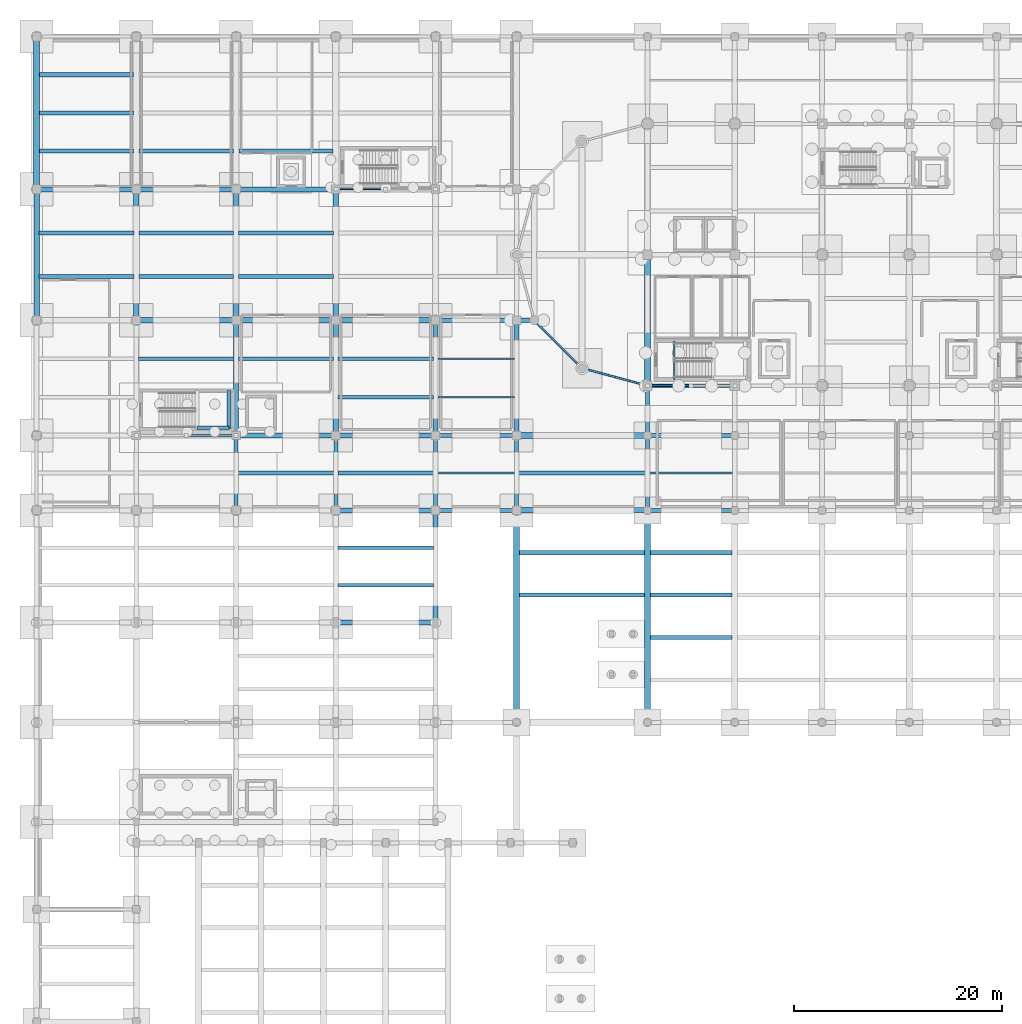
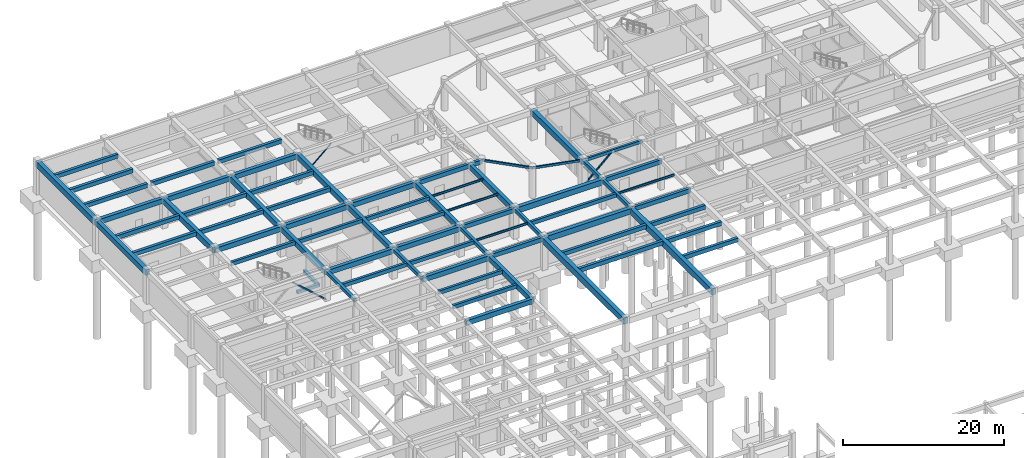
# One storey, part 15 of 37: 71 beams, 4 members.
"""IFC4 building model written with IfcOpenShell, lengths in metres."""

from ifc_helpers import new_model, si_unit, direction, frame, origin, origin_2d, place, context, subcontext, project, spatial, rectangle, hollow_rectangle, hollow_circle, i_section, extrude, material, material_profile, profile_set, type_object, element, save


model = new_model("IFC4")

# Units and contexts
model_context = context("Model", 3, precision=1e-05, world=origin(), true_north=direction((0.0, 1.0)))
body_context = subcontext(model_context, "Body", "Model", "MODEL_VIEW")
ifc_project = project(units=[si_unit("LENGTHUNIT", "METRE"), si_unit("AREAUNIT", "SQUARE_METRE"), si_unit("VOLUMEUNIT", "CUBIC_METRE"), si_unit("PLANEANGLEUNIT", "RADIAN"), si_unit("MASSUNIT", "GRAM", prefix="KILO")], contexts=[model_context])

# Site, building, storey
site_placement = place(None, origin())
site = spatial("IfcSite", under=ifc_project, at=site_placement, CompositionType="ELEMENT")
building_placement = place(site_placement, origin())
building = spatial("IfcBuilding", under=site, at=building_placement, Name="Tarnavel Promenade Courthouse", CompositionType="ELEMENT")
storey_placement = place(building_placement, frame((0.0, 0.0, -4.800048828125)))
storey = spatial("IfcBuildingStorey", under=building, at=storey_placement, Name="B01", CompositionType="ELEMENT", Elevation=-4.800048828125)

# Beams
ifc_material_1 = material(Name="Concrete C40/50", Category="concrete")
ifc_material_profile_1 = material_profile(ifc_material_1, rectangle(XDim=0.35009765625, YDim=0.550048828125, at=origin_2d()), Name="PT 350x550")
ifc_profile_set_1 = profile_set([ifc_material_profile_1], Name="Concrete C40/50")
beam_type_1 = type_object("IfcBeamType", Name="Concrete C40/50 BM-PT-350x550 (PT 350x550)", PredefinedType="JOIST", material=ifc_profile_set_1)
for number, where, z_axis, x_axis, name in (
    (1, (29.02001953125, 60.0, 4.179931640625), (1.0, 0.0, 0.0), (0.0, 1.0, 0.0), "B01 Secondary Floor Rib 0395"),
    (2, (29.02001953125, 63.60009765625, 4.179931640625), (1.0, 0.0, 0.0), (0.0, 1.0, 0.0), "B01 Secondary Floor Rib 0396"),
):
    element("IfcBeam", number, at=place(storey_placement, frame(where, z_axis=z_axis, x_axis=x_axis)), inside=storey, type_object=beam_type_1, Name=name, PredefinedType="JOIST", context=body_context, shape_type="SweptSolid", body=[
        extrude(rectangle(XDim=0.35009765625, YDim=0.550048828125, at=origin_2d()), origin(), (0.0, 0.0, 1.0), 9.159912109375),
    ])
beam_1_placement = place(storey_placement, frame((19.3701171875, 70.800048828125, 4.239990234375), z_axis=(1.0, 0.0, 0.0), x_axis=(0.0, 1.0, 0.0)))
element("IfcBeam", 3, at=beam_1_placement, inside=storey, type_object=beam_type_1, Name="B01 Secondary Floor Rib 0399", PredefinedType="JOIST", context=body_context, shape_type="SweptSolid", body=[
    extrude(rectangle(XDim=0.35009765625, YDim=0.550048828125, at=origin_2d()), origin(), (0.0, 0.0, 1.0), 9.259765625),
])
beam_2_placement = place(storey_placement, frame((28.969970703125, 70.800048828125, 4.239990234375), z_axis=(1.0, 0.0, 0.0), x_axis=(0.0, 1.0, 0.0)))
element("IfcBeam", 4, at=beam_2_placement, inside=storey, type_object=beam_type_1, Name="B01 Secondary Floor Rib 0400", PredefinedType="JOIST", context=body_context, shape_type="SweptSolid", body=[
    extrude(rectangle(XDim=0.35009765625, YDim=0.550048828125, at=origin_2d()), origin(), (0.0, 0.0, 1.0), 9.260009765625),
])
beam_3_placement = place(storey_placement, frame((46.3701171875, 70.800048828125, 4.239990234375), z_axis=(1.0, 0.0, 0.0), x_axis=(0.0, 1.0, 0.0)))
element("IfcBeam", 5, at=beam_3_placement, inside=storey, type_object=beam_type_1, Name="B01 Secondary Floor Rib 0402", PredefinedType="JOIST", context=body_context, shape_type="SweptSolid", body=[
    extrude(rectangle(XDim=0.35009765625, YDim=0.550048828125, at=origin_2d()), origin(), (0.0, 0.0, 1.0), 12.259765625),
])
beam_4_placement = place(storey_placement, frame((9.820068359375, 81.800048828125, 4.239990234375), z_axis=(1.0, 0.0, 0.0), x_axis=(0.0, 1.0, 0.0)))
element("IfcBeam", 6, at=beam_4_placement, inside=storey, type_object=beam_type_1, Name="B01 Secondary Floor Rib 0416", PredefinedType="JOIST", context=body_context, shape_type="SweptSolid", body=[
    extrude(rectangle(XDim=0.35009765625, YDim=0.550048828125, at=origin_2d()), origin(), (0.0, 0.0, 1.0), 9.159912109375),
])
beam_5_placement = place(storey_placement, frame((19.419921875, 81.800048828125, 4.239990234375), z_axis=(1.0, 0.0, 0.0), x_axis=(0.0, 1.0, 0.0)))
element("IfcBeam", 7, at=beam_5_placement, inside=storey, type_object=beam_type_1, Name="B01 Secondary Floor Rib 0417", PredefinedType="JOIST", context=body_context, shape_type="SweptSolid", body=[
    extrude(rectangle(XDim=0.35009765625, YDim=0.550048828125, at=origin_2d()), origin(), (0.0, 0.0, 1.0), 9.16015625),
])
for number, where, z_axis, x_axis, name in (
    (8, (29.02001953125, 78.10009765625, 4.239990234375), (1.0, 0.0, 0.0), (0.0, 1.0, 0.0), "B01 Secondary Floor Rib 0418"),
    (9, (29.02001953125, 81.800048828125, 4.239990234375), (1.0, 0.0, 0.0), (0.0, 1.0, 0.0), "B01 Secondary Floor Rib 0419"),
):
    element("IfcBeam", number, at=place(storey_placement, frame(where, z_axis=z_axis, x_axis=x_axis)), inside=storey, type_object=beam_type_1, Name=name, PredefinedType="JOIST", context=body_context, shape_type="SweptSolid", body=[
        extrude(rectangle(XDim=0.35009765625, YDim=0.550048828125, at=origin_2d()), origin(), (0.0, 0.0, 1.0), 9.159912109375),
    ])
ifc_material_profile_2 = material_profile(ifc_material_1, rectangle(XDim=0.39990234375, YDim=0.60009765625, at=origin_2d()), Name="PT 400x600")
ifc_profile_set_2 = profile_set([ifc_material_profile_2], Name="Concrete C40/50")
beam_type_2 = type_object("IfcBeamType", Name="Concrete C40/50 BM-PT-400x600 (PT 400x600)", PredefinedType="JOIST", material=ifc_profile_set_2)
for number, where, z_axis, x_axis, name in (
    (10, (0.2451171875, 89.699951171875, 4.215087890625), (1.0, 0.0, 0.0), (0.0, 1.0, 0.0), "B01 Secondary Floor Rib 0425"),
    (11, (0.2451171875, 93.89990234375, 4.215087890625), (1.0, 0.0, 0.0), (0.0, 1.0, 0.0), "B01 Secondary Floor Rib 0426"),
):
    element("IfcBeam", number, at=place(storey_placement, frame(where, z_axis=z_axis, x_axis=x_axis)), inside=storey, type_object=beam_type_2, Name=name, PredefinedType="JOIST", context=body_context, shape_type="SweptSolid", body=[
        extrude(rectangle(XDim=0.39990234375, YDim=0.60009765625, at=origin_2d()), origin(), (0.0, 0.0, 1.0), 9.10986328125),
    ])
for number, where, z_axis, x_axis, name in (
    (12, (9.844970703125, 89.699951171875, 4.215087890625), (1.0, 0.0, 0.0), (0.0, 1.0, 0.0), "B01 Secondary Floor Rib 0427"),
    (13, (9.844970703125, 93.89990234375, 4.215087890625), (1.0, 0.0, 0.0), (0.0, 1.0, 0.0), "B01 Secondary Floor Rib 0428"),
):
    element("IfcBeam", number, at=place(storey_placement, frame(where, z_axis=z_axis, x_axis=x_axis)), inside=storey, type_object=beam_type_2, Name=name, PredefinedType="JOIST", context=body_context, shape_type="SweptSolid", body=[
        extrude(rectangle(XDim=0.39990234375, YDim=0.60009765625, at=origin_2d()), origin(), (0.0, 0.0, 1.0), 9.110107421875),
    ])
for number, where, z_axis, x_axis, name in (
    (14, (19.445068359375, 89.699951171875, 4.215087890625), (1.0, 0.0, 0.0), (0.0, 1.0, 0.0), "B01 Secondary Floor Rib 0429"),
    (15, (19.445068359375, 93.89990234375, 4.215087890625), (1.0, 0.0, 0.0), (0.0, 1.0, 0.0), "B01 Secondary Floor Rib 0430"),
):
    element("IfcBeam", number, at=place(storey_placement, frame(where, z_axis=z_axis, x_axis=x_axis)), inside=storey, type_object=beam_type_2, Name=name, PredefinedType="JOIST", context=body_context, shape_type="SweptSolid", body=[
        extrude(rectangle(XDim=0.39990234375, YDim=0.60009765625, at=origin_2d()), origin(), (0.0, 0.0, 1.0), 9.10986328125),
    ])
for number, where, z_axis, x_axis, name in (
    (16, (0.27001953125, 101.77490234375, 4.215087890625), (1.0, 0.0, 0.0), (0.0, 1.0, 0.0), "B01 Secondary Floor Rib 0441"),
    (17, (0.27001953125, 105.449951171875, 4.215087890625), (1.0, 0.0, 0.0), (0.0, 1.0, 0.0), "B01 Secondary Floor Rib 0442"),
    (18, (0.27001953125, 109.125, 4.215087890625), (1.0, 0.0, 0.0), (0.0, 1.0, 0.0), "B01 Secondary Floor Rib 0443"),
):
    element("IfcBeam", number, at=place(storey_placement, frame(where, z_axis=z_axis, x_axis=x_axis)), inside=storey, type_object=beam_type_2, Name=name, PredefinedType="JOIST", context=body_context, shape_type="SweptSolid", body=[
        extrude(rectangle(XDim=0.39990234375, YDim=0.60009765625, at=origin_2d()), origin(), (0.0, 0.0, 1.0), 9.06005859375),
    ])
beam_6_placement = place(storey_placement, frame((9.8701171875, 101.77490234375, 4.215087890625), z_axis=(1.0, 0.0, 0.0), x_axis=(0.0, 1.0, 0.0)))
element("IfcBeam", 19, at=beam_6_placement, inside=storey, type_object=beam_type_2, Name="B01 Secondary Floor Rib 0444", PredefinedType="JOIST", context=body_context, shape_type="SweptSolid", body=[
    extrude(rectangle(XDim=0.39990234375, YDim=0.60009765625, at=origin_2d()), origin(), (0.0, 0.0, 1.0), 9.059814453125),
])
beam_7_placement = place(storey_placement, frame((19.469970703125, 101.77490234375, 4.215087890625), z_axis=(1.0, 0.0, 0.0), x_axis=(0.0, 1.0, 0.0)))
element("IfcBeam", 20, at=beam_7_placement, inside=storey, type_object=beam_type_2, Name="B01 Secondary Floor Rib 0447", PredefinedType="JOIST", context=body_context, shape_type="SweptSolid", body=[
    extrude(rectangle(XDim=0.39990234375, YDim=0.60009765625, at=origin_2d()), origin(), (0.0, 0.0, 1.0), 9.06005859375),
])
for number, where, z_axis, x_axis, name in (
    (21, (46.469970703125, 59.0400390625, 4.215087890625), (1.0, 0.0, 0.0), (0.0, 1.0, 0.0), "B01 Secondary Floor Rib 0470"),
    (22, (46.469970703125, 63.1201171875, 4.215087890625), (1.0, 0.0, 0.0), (0.0, 1.0, 0.0), "B01 Secondary Floor Rib 0471"),
):
    element("IfcBeam", number, at=place(storey_placement, frame(where, z_axis=z_axis, x_axis=x_axis)), inside=storey, type_object=beam_type_2, Name=name, PredefinedType="JOIST", context=body_context, shape_type="SweptSolid", body=[
        extrude(rectangle(XDim=0.39990234375, YDim=0.60009765625, at=origin_2d()), origin(), (0.0, 0.0, 1.0), 12.06005859375),
    ])
for number, where, z_axis, x_axis, name in (
    (23, (59.070068359375, 54.9599609375, 4.215087890625), (1.0, 0.0, 0.0), (0.0, 1.0, 0.0), "B01 Secondary Floor Rib 0473"),
    (24, (59.070068359375, 59.0400390625, 4.215087890625), (1.0, 0.0, 0.0), (0.0, 1.0, 0.0), "B01 Secondary Floor Rib 0474"),
    (25, (59.070068359375, 63.1201171875, 4.215087890625), (1.0, 0.0, 0.0), (0.0, 1.0, 0.0), "B01 Secondary Floor Rib 0475"),
):
    element("IfcBeam", number, at=place(storey_placement, frame(where, z_axis=z_axis, x_axis=x_axis)), inside=storey, type_object=beam_type_2, Name=name, PredefinedType="JOIST", context=body_context, shape_type="SweptSolid", body=[
        extrude(rectangle(XDim=0.39990234375, YDim=0.60009765625, at=origin_2d()), origin(), (0.0, 0.0, 1.0), 7.85986328125),
    ])
ifc_material_profile_3 = material_profile(ifc_material_1, rectangle(XDim=0.5, YDim=0.800048828125, at=origin_2d()), Name="PT 500x800")
ifc_profile_set_3 = profile_set([ifc_material_profile_3], Name="Concrete C40/50")
beam_type_3 = type_object("IfcBeamType", Name="Concrete C40/50 BM-PT-500x800 (PT 500x800)", PredefinedType="T_BEAM", material=ifc_profile_set_3)
for number, where, z_axis, x_axis, name in (
    (26, (19.199951171875, 74.39990234375, 4.114990234375), (0.0, 1.0, 0.0), (-1.0, 0.0, 0.0), "B01 Transverse Girder 0216"),
    (27, (28.800048828125, 74.39990234375, 4.114990234375), (0.0, 1.0, 0.0), (-1.0, 0.0, 0.0), "B01 Transverse Girder 0226"),
):
    element("IfcBeam", number, at=place(storey_placement, frame(where, z_axis=z_axis, x_axis=x_axis)), inside=storey, type_object=beam_type_3, Name=name, PredefinedType="T_BEAM", context=body_context, shape_type="SweptSolid", body=[
        extrude(rectangle(XDim=0.5, YDim=0.800048828125, at=origin_2d()), origin(), (0.0, 0.0, 1.0), 11.10009765625),
    ])
beam_8_placement = place(storey_placement, frame((38.39990234375, 56.39990234375, 4.054931640625), z_axis=(0.0, 1.0, 0.0), x_axis=(-1.0, 0.0, 0.0)))
element("IfcBeam", 28, at=beam_8_placement, inside=storey, type_object=beam_type_3, Name="B01 Transverse Girder 0232", PredefinedType="T_BEAM", context=body_context, shape_type="SweptSolid", body=[
    extrude(rectangle(XDim=0.5, YDim=0.800048828125, at=origin_2d()), origin(), (0.0, 0.0, 1.0), 10.800048828125),
])
for number, where, z_axis, x_axis, name in (
    (29, (38.39990234375, 74.39990234375, 4.114990234375), (0.0, 1.0, 0.0), (-1.0, 0.0, 0.0), "B01 Transverse Girder 0234"),
    (30, (46.199951171875, 74.39990234375, 4.114990234375), (0.0, 1.0, 0.0), (-1.0, 0.0, 0.0), "B01 Transverse Girder 0241"),
):
    element("IfcBeam", number, at=place(storey_placement, frame(where, z_axis=z_axis, x_axis=x_axis)), inside=storey, type_object=beam_type_3, Name=name, PredefinedType="T_BEAM", context=body_context, shape_type="SweptSolid", body=[
        extrude(rectangle(XDim=0.5, YDim=0.800048828125, at=origin_2d()), origin(), (0.0, 0.0, 1.0), 11.10009765625),
    ])
ifc_material_profile_4 = material_profile(ifc_material_1, rectangle(XDim=0.550048828125, YDim=0.85009765625, at=origin_2d()), Name="PT 550x850")
ifc_profile_set_4 = profile_set([ifc_material_profile_4], Name="Concrete C40/50")
beam_type_4 = type_object("IfcBeamType", Name="Concrete C40/50 BM-PT-550x850 (PT 550x850)", PredefinedType="T_BEAM", material=ifc_profile_set_4)
for number, where, z_axis, x_axis, name in (
    (31, (46.199951171875, 67.199951171875, 4.090087890625), (1.0, 0.0, 0.0), (0.0, 1.0, 0.0), "B01 Primary Longitudinal Beam 0094"),
    (32, (46.199951171875, 74.39990234375, 4.090087890625), (1.0, 0.0, 0.0), (0.0, 1.0, 0.0), "B01 Primary Longitudinal Beam 0117"),
    (33, (0.0, 85.5, 4.090087890625), (0.0, 1.0, 0.0), (-1.0, 0.0, 0.0), "B01 Transverse Girder 0196"),
    (34, (9.60009765625, 85.5, 4.090087890625), (0.0, 1.0, 0.0), (-1.0, 0.0, 0.0), "B01 Transverse Girder 0208"),
    (35, (19.199951171875, 85.5, 4.090087890625), (0.0, 1.0, 0.0), (-1.0, 0.0, 0.0), "B01 Transverse Girder 0217"),
    (36, (28.800048828125, 85.5, 4.090087890625), (0.0, 1.0, 0.0), (-1.0, 0.0, 0.0), "B01 Transverse Girder 0227"),
    (37, (58.800048828125, 79.199951171875, 4.090087890625), (0.0, 1.0, 0.0), (-1.0, 0.0, 0.0), "B01 Transverse Girder 0252"),
):
    element("IfcBeam", number, at=place(storey_placement, frame(where, z_axis=z_axis, x_axis=x_axis)), inside=storey, type_object=beam_type_4, Name=name, PredefinedType="T_BEAM", context=body_context, shape_type="SweptSolid", body=[
        extrude(rectangle(XDim=0.550048828125, YDim=0.85009765625, at=origin_2d()), origin(), (0.0, 0.0, 1.0), 12.60009765625),
    ])
ifc_material_profile_5 = material_profile(ifc_material_1, rectangle(XDim=0.60009765625, YDim=0.89990234375, at=origin_2d()), Name="PT 600x900")
ifc_profile_set_5 = profile_set([ifc_material_profile_5], Name="Concrete C40/50")
beam_type_5 = type_object("IfcBeamType", Name="Concrete C40/50 BM-PT-600x900 (PT 600x900)", PredefinedType="T_BEAM", material=ifc_profile_set_5)
beam_9_placement = place(storey_placement, frame((0.0, 98.10009765625, 4.06494140625), z_axis=(0.0, 1.0, 0.0), x_axis=(-1.0, 0.0, 0.0)))
element("IfcBeam", 38, at=beam_9_placement, inside=storey, type_object=beam_type_5, Name="B01 Transverse Girder 0197", PredefinedType="T_BEAM", context=body_context, shape_type="SweptSolid", body=[
    extrude(rectangle(XDim=0.60009765625, YDim=0.89990234375, at=origin_2d()), origin(), (0.0, 0.0, 1.0), 14.699951171875),
])
ifc_material_profile_6 = material_profile(ifc_material_1, rectangle(XDim=0.60009765625, YDim=0.949951171875, at=origin_2d()), Name="PT 600x950")
ifc_profile_set_6 = profile_set([ifc_material_profile_6], Name="Concrete C40/50")
beam_type_6 = type_object("IfcBeamType", Name="Concrete C40/50 BM-PT-600x950 (PT 600x950)", PredefinedType="T_BEAM", material=ifc_profile_set_6)
for number, where, z_axis, x_axis, name in (
    (39, (46.199951171875, 46.800048828125, 4.0400390625), (0.0, 1.0, 0.0), (-1.0, 0.0, 0.0), "B01 Transverse Girder 0239"),
    (40, (58.800048828125, 46.800048828125, 4.0400390625), (0.0, 1.0, 0.0), (-1.0, 0.0, 0.0), "B01 Transverse Girder 0249"),
):
    element("IfcBeam", number, at=place(storey_placement, frame(where, z_axis=z_axis, x_axis=x_axis)), inside=storey, type_object=beam_type_6, Name=name, PredefinedType="T_BEAM", context=body_context, shape_type="SweptSolid", body=[
        extrude(rectangle(XDim=0.60009765625, YDim=0.949951171875, at=origin_2d()), origin(), (0.0, 0.0, 1.0), 20.39990234375),
    ])
ifc_material_profile_7 = material_profile(ifc_material_1, rectangle(XDim=0.35009765625, YDim=0.449951171875, at=origin_2d()), Name="RC 350x450")
ifc_profile_set_7 = profile_set([ifc_material_profile_7], Name="Concrete C40/50")
beam_type_7 = type_object("IfcBeamType", Name="Concrete C40/50 BM-RC-350x450 (RC 350x450)", PredefinedType="BEAM", material=ifc_profile_set_7)
beam_10_placement = place(storey_placement, frame((18.52001953125, 75.02001953125, 1.969970703125), z_axis=(0.0, 1.0, 0.0), x_axis=(-1.0, 0.0, 0.0)))
element("IfcBeam", 41, at=beam_10_placement, inside=storey, type_object=beam_type_7, Name="B01 ST-04 Mid-Landing Support Beam Far", PredefinedType="BEAM", context=body_context, shape_type="SweptSolid", body=[
    extrude(rectangle(XDim=0.35009765625, YDim=0.449951171875, at=origin_2d()), origin(), (0.0, 0.0, 1.0), 3.719970703125),
])
beam_11_placement = place(storey_placement, frame((15.43994140625, 75.169921875, 1.969970703125), z_axis=(1.0, 0.0, 0.0), x_axis=(0.0, 1.0, 0.0)))
element("IfcBeam", 42, at=beam_11_placement, inside=storey, type_object=beam_type_7, Name="B01 ST-04 Mid-Landing Edge Trimmer", PredefinedType="BEAM", context=body_context, shape_type="SweptSolid", body=[
    extrude(rectangle(XDim=0.35009765625, YDim=0.449951171875, at=origin_2d()), origin(), (0.0, 0.0, 1.0), 3.080078125),
])
ifc_material_profile_8 = material_profile(ifc_material_1, rectangle(XDim=0.39990234375, YDim=0.5, at=origin_2d()), Name="RC 400x500")
ifc_profile_set_8 = profile_set([ifc_material_profile_8], Name="Concrete C40/50")
beam_type_8 = type_object("IfcBeamType", Name="Concrete C40/50 BM-RC-400x500 (RC 400x500)", PredefinedType="BEAM", material=ifc_profile_set_8)
for number, where, z_axis, x_axis, name in (
    (43, (19.199951171875, 67.199951171875, 4.26513671875), (0.0, 1.0, 0.0), (-1.0, 0.0, 0.0), "B01 Transverse Girder 0215"),
    (44, (28.800048828125, 67.199951171875, 4.26513671875), (0.0, 1.0, 0.0), (-1.0, 0.0, 0.0), "B01 Transverse Girder 0225"),
    (45, (38.39990234375, 67.199951171875, 4.26513671875), (0.0, 1.0, 0.0), (-1.0, 0.0, 0.0), "B01 Transverse Girder 0233"),
    (46, (46.199951171875, 67.199951171875, 4.26513671875), (0.0, 1.0, 0.0), (-1.0, 0.0, 0.0), "B01 Transverse Girder 0240"),
    (47, (58.800048828125, 67.199951171875, 4.26513671875), (0.0, 1.0, 0.0), (-1.0, 0.0, 0.0), "B01 Transverse Girder 0250"),
):
    element("IfcBeam", number, at=place(storey_placement, frame(where, z_axis=z_axis, x_axis=x_axis)), inside=storey, type_object=beam_type_8, Name=name, PredefinedType="BEAM", context=body_context, shape_type="SweptSolid", body=[
        extrude(rectangle(XDim=0.39990234375, YDim=0.5, at=origin_2d()), origin(), (0.0, 0.0, 1.0), 7.199951171875),
    ])
beam_12_placement = place(storey_placement, frame((58.800048828125, 74.39990234375, 4.26513671875), z_axis=(0.0, 1.0, 0.0), x_axis=(-1.0, 0.0, 0.0)))
element("IfcBeam", 48, at=beam_12_placement, inside=storey, type_object=beam_type_8, Name="B01 Transverse Girder 0251", PredefinedType="BEAM", context=body_context, shape_type="SweptSolid", body=[
    extrude(rectangle(XDim=0.39990234375, YDim=0.5, at=origin_2d()), origin(), (0.0, 0.0, 1.0), 4.800048828125),
])
ifc_material_profile_9 = material_profile(ifc_material_1, rectangle(XDim=0.39990234375, YDim=0.64990234375, at=origin_2d()), Name="RC 400x650")
ifc_profile_set_9 = profile_set([ifc_material_profile_9], Name="Concrete C40/50")
beam_type_9 = type_object("IfcBeamType", Name="Concrete C40/50 BM-RC-400x650 (RC 400x650)", PredefinedType="BEAM", material=ifc_profile_set_9)
beam_13_placement = place(storey_placement, frame((38.39990234375, 67.199951171875, 4.18994140625), z_axis=(1.0, 0.0, 0.0), x_axis=(0.0, 1.0, 0.0)))
element("IfcBeam", 49, at=beam_13_placement, inside=storey, type_object=beam_type_9, Name="B01 Primary Longitudinal Beam 0093", PredefinedType="BEAM", context=body_context, shape_type="SweptSolid", body=[
    extrude(rectangle(XDim=0.39990234375, YDim=0.64990234375, at=origin_2d()), origin(), (0.0, 0.0, 1.0), 7.800048828125),
])
beam_14_placement = place(storey_placement, frame((58.800048828125, 67.199951171875, 4.18994140625), z_axis=(1.0, 0.0, 0.0), x_axis=(0.0, 1.0, 0.0)))
element("IfcBeam", 50, at=beam_14_placement, inside=storey, type_object=beam_type_9, Name="B01 Primary Longitudinal Beam 0095", PredefinedType="BEAM", context=body_context, shape_type="SweptSolid", body=[
    extrude(rectangle(XDim=0.39990234375, YDim=0.64990234375, at=origin_2d()), origin(), (0.0, 0.0, 1.0), 8.39990234375),
])
beam_15_placement = place(storey_placement, frame((38.39990234375, 74.39990234375, 4.18994140625), z_axis=(1.0, 0.0, 0.0), x_axis=(0.0, 1.0, 0.0)))
element("IfcBeam", 51, at=beam_15_placement, inside=storey, type_object=beam_type_9, Name="B01 Primary Longitudinal Beam 0116", PredefinedType="BEAM", context=body_context, shape_type="SweptSolid", body=[
    extrude(rectangle(XDim=0.39990234375, YDim=0.64990234375, at=origin_2d()), origin(), (0.0, 0.0, 1.0), 7.800048828125),
])
beam_16_placement = place(storey_placement, frame((58.800048828125, 74.39990234375, 4.18994140625), z_axis=(1.0, 0.0, 0.0), x_axis=(0.0, 1.0, 0.0)))
element("IfcBeam", 52, at=beam_16_placement, inside=storey, type_object=beam_type_9, Name="B01 Primary Longitudinal Beam 0118", PredefinedType="BEAM", context=body_context, shape_type="SweptSolid", body=[
    extrude(rectangle(XDim=0.39990234375, YDim=0.64990234375, at=origin_2d()), origin(), (0.0, 0.0, 1.0), 8.39990234375),
])
beam_17_placement = place(storey_placement, frame((38.39990234375, 85.5, 4.18994140625), z_axis=(1.0, 0.0, 0.0), x_axis=(0.0, 1.0, 0.0)))
element("IfcBeam", 53, at=beam_17_placement, inside=storey, type_object=beam_type_9, Name="B01 Primary Longitudinal Beam 0138", PredefinedType="BEAM", context=body_context, shape_type="SweptSolid", body=[
    extrude(rectangle(XDim=0.39990234375, YDim=0.64990234375, at=origin_2d()), origin(), (0.0, 0.0, 1.0), 7.800048828125),
])
beam_18_placement = place(storey_placement, frame((46.199951171875, 85.5, 4.18994140625), z_axis=(1.0, 0.0, 0.0), x_axis=(0.0, 1.0, 0.0)))
element("IfcBeam", 54, at=beam_18_placement, inside=storey, type_object=beam_type_9, Name="B01 Primary Longitudinal Beam 0139", PredefinedType="BEAM", context=body_context, shape_type="SweptSolid", body=[
    extrude(rectangle(XDim=0.39990234375, YDim=0.64990234375, at=origin_2d()), origin(), (0.0, 0.0, 1.0), 1.688232421875),
])
ifc_material_profile_10 = material_profile(ifc_material_1, rectangle(XDim=0.5, YDim=0.75, at=origin_2d()), Name="RC 500x750")
ifc_profile_set_10 = profile_set([ifc_material_profile_10], Name="Concrete C40/50")
beam_type_10 = type_object("IfcBeamType", Name="Concrete C40/50 BM-RC-500x750 (RC 500x750)", PredefinedType="T_BEAM", material=ifc_profile_set_10)
for number, where, z_axis, x_axis, name in (
    (55, (28.800048828125, 56.39990234375, 4.080078125), (1.0, 0.0, 0.0), (0.0, 1.0, 0.0), "B01 Primary Longitudinal Beam 0081"),
    (56, (28.800048828125, 67.199951171875, 4.080078125), (1.0, 0.0, 0.0), (0.0, 1.0, 0.0), "B01 Primary Longitudinal Beam 0092"),
):
    element("IfcBeam", number, at=place(storey_placement, frame(where, z_axis=z_axis, x_axis=x_axis)), inside=storey, type_object=beam_type_10, Name=name, PredefinedType="T_BEAM", context=body_context, shape_type="SweptSolid", body=[
        extrude(rectangle(XDim=0.5, YDim=0.75, at=origin_2d()), origin(), (0.0, 0.0, 1.0), 9.599853515625),
    ])
beam_19_placement = place(storey_placement, frame((19.199951171875, 74.39990234375, 4.14013671875), z_axis=(1.0, 0.0, 0.0), x_axis=(0.0, 1.0, 0.0)))
element("IfcBeam", 57, at=beam_19_placement, inside=storey, type_object=beam_type_10, Name="B01 Primary Longitudinal Beam 0114", PredefinedType="T_BEAM", context=body_context, shape_type="SweptSolid", body=[
    extrude(rectangle(XDim=0.5, YDim=0.75, at=origin_2d()), origin(), (0.0, 0.0, 1.0), 9.60009765625),
])
for number, where, z_axis, x_axis, name in (
    (58, (28.800048828125, 74.39990234375, 4.14013671875), (1.0, 0.0, 0.0), (0.0, 1.0, 0.0), "B01 Primary Longitudinal Beam 0115"),
    (59, (9.60009765625, 85.5, 4.14013671875), (1.0, 0.0, 0.0), (0.0, 1.0, 0.0), "B01 Primary Longitudinal Beam 0135"),
):
    element("IfcBeam", number, at=place(storey_placement, frame(where, z_axis=z_axis, x_axis=x_axis)), inside=storey, type_object=beam_type_10, Name=name, PredefinedType="T_BEAM", context=body_context, shape_type="SweptSolid", body=[
        extrude(rectangle(XDim=0.5, YDim=0.75, at=origin_2d()), origin(), (0.0, 0.0, 1.0), 9.599853515625),
    ])
beam_20_placement = place(storey_placement, frame((19.199951171875, 85.5, 4.14013671875), z_axis=(1.0, 0.0, 0.0), x_axis=(0.0, 1.0, 0.0)))
element("IfcBeam", 60, at=beam_20_placement, inside=storey, type_object=beam_type_10, Name="B01 Primary Longitudinal Beam 0136", PredefinedType="T_BEAM", context=body_context, shape_type="SweptSolid", body=[
    extrude(rectangle(XDim=0.5, YDim=0.75, at=origin_2d()), origin(), (0.0, 0.0, 1.0), 9.60009765625),
])
beam_21_placement = place(storey_placement, frame((28.800048828125, 85.5, 4.14013671875), z_axis=(1.0, 0.0, 0.0), x_axis=(0.0, 1.0, 0.0)))
element("IfcBeam", 61, at=beam_21_placement, inside=storey, type_object=beam_type_10, Name="B01 Primary Longitudinal Beam 0137", PredefinedType="T_BEAM", context=body_context, shape_type="SweptSolid", body=[
    extrude(rectangle(XDim=0.5, YDim=0.75, at=origin_2d()), origin(), (0.0, 0.0, 1.0), 9.599853515625),
])
beam_22_placement = place(storey_placement, frame((0.0, 98.10009765625, 4.14013671875), z_axis=(1.0, 0.0, 0.0), x_axis=(0.0, 1.0, 0.0)))
element("IfcBeam", 62, at=beam_22_placement, inside=storey, type_object=beam_type_10, Name="B01 Primary Longitudinal Beam 0152", PredefinedType="T_BEAM", context=body_context, shape_type="SweptSolid", body=[
    extrude(rectangle(XDim=0.5, YDim=0.75, at=origin_2d()), origin(), (0.0, 0.0, 1.0), 9.60009765625),
])
beam_23_placement = place(storey_placement, frame((9.60009765625, 98.10009765625, 4.14013671875), z_axis=(1.0, 0.0, 0.0), x_axis=(0.0, 1.0, 0.0)))
element("IfcBeam", 63, at=beam_23_placement, inside=storey, type_object=beam_type_10, Name="B01 Primary Longitudinal Beam 0153", PredefinedType="T_BEAM", context=body_context, shape_type="SweptSolid", body=[
    extrude(rectangle(XDim=0.5, YDim=0.75, at=origin_2d()), origin(), (0.0, 0.0, 1.0), 9.599853515625),
])
beam_24_placement = place(storey_placement, frame((19.199951171875, 98.10009765625, 4.14013671875), z_axis=(1.0, 0.0, 0.0), x_axis=(0.0, 1.0, 0.0)))
element("IfcBeam", 64, at=beam_24_placement, inside=storey, type_object=beam_type_10, Name="B01 Primary Longitudinal Beam 0154", PredefinedType="T_BEAM", context=body_context, shape_type="SweptSolid", body=[
    extrude(rectangle(XDim=0.5, YDim=0.75, at=origin_2d()), origin(), (0.0, 0.0, 1.0), 9.60009765625),
])
ifc_material_profile_11 = material_profile(ifc_material_1, rectangle(XDim=0.300048828125, YDim=0.449951171875, at=origin_2d()), Name="RC 300x450")
ifc_profile_set_11 = profile_set([ifc_material_profile_11], Name="Concrete C40/50")
beam_type_11 = type_object("IfcBeamType", Name="Concrete C40/50 BM-SP-300x450 (RC 300x450)", PredefinedType="SPANDREL", material=ifc_profile_set_11)
beam_25_placement = place(storey_placement, frame((58.800048828125, 79.199951171875, 4.2900390625), z_axis=(1.0, 0.0, 0.0), x_axis=(0.0, 1.0, 0.0)))
element("IfcBeam", 65, at=beam_25_placement, inside=storey, type_object=beam_type_11, Name="B01 Primary Longitudinal Beam 0129", PredefinedType="SPANDREL", context=body_context, shape_type="SweptSolid", body=[
    extrude(rectangle(XDim=0.300048828125, YDim=0.449951171875, at=origin_2d()), origin(), (0.0, 0.0, 1.0), 8.39990234375),
])
ifc_material_2 = material(Name="Steel S355J2", Category="steel")
ifc_material_profile_12 = material_profile(ifc_material_2, i_section(OverallWidth=0.159912109375, OverallDepth=0.330078125, WebThickness=0.007568359375, FlangeThickness=0.011474609375, FilletRadius=0.01806640625, at=origin_2d()), Name="IPE 330")
ifc_profile_set_12 = profile_set([ifc_material_profile_12], Name="Steel S355J2")
beam_type_12 = type_object("IfcBeamType", Name="Steel S355J2 BM-ST-IPE330 (IPE 330)", PredefinedType="JOIST", material=ifc_profile_set_12)
beam_26_placement = place(storey_placement, frame((38.570068359375, 70.800048828125, 4.35009765625), z_axis=(1.0, 0.0, 0.0), x_axis=(0.0, 1.0, 0.0)))
element("IfcBeam", 66, at=beam_26_placement, inside=storey, type_object=beam_type_12, Name="B01 Secondary Floor Rib 0401", PredefinedType="JOIST", context=body_context, shape_type="SweptSolid", body=[
    extrude(i_section(OverallWidth=0.159912109375, OverallDepth=0.330078125, WebThickness=0.007568359375, FlangeThickness=0.011474609375, FilletRadius=0.01806640625, at=origin_2d()), origin(), (0.0, 0.0, 1.0), 7.4599609375),
])
beam_27_placement = place(storey_placement, frame((58.969970703125, 70.800048828125, 4.35009765625), z_axis=(1.0, 0.0, 0.0), x_axis=(0.0, 1.0, 0.0)))
element("IfcBeam", 67, at=beam_27_placement, inside=storey, type_object=beam_type_12, Name="B01 Secondary Floor Rib 0403", PredefinedType="JOIST", context=body_context, shape_type="SweptSolid", body=[
    extrude(i_section(OverallWidth=0.159912109375, OverallDepth=0.330078125, WebThickness=0.007568359375, FlangeThickness=0.011474609375, FilletRadius=0.01806640625, at=origin_2d()), origin(), (0.0, 0.0, 1.0), 8.06005859375),
])
for number, where, z_axis, x_axis, name in (
    (68, (38.6201171875, 78.10009765625, 4.35009765625), (1.0, 0.0, 0.0), (0.0, 1.0, 0.0), "B01 Secondary Floor Rib 0420"),
    (69, (38.6201171875, 81.800048828125, 4.35009765625), (1.0, 0.0, 0.0), (0.0, 1.0, 0.0), "B01 Secondary Floor Rib 0421"),
):
    element("IfcBeam", number, at=place(storey_placement, frame(where, z_axis=z_axis, x_axis=x_axis)), inside=storey, type_object=beam_type_12, Name=name, PredefinedType="JOIST", context=body_context, shape_type="SweptSolid", body=[
        extrude(i_section(OverallWidth=0.159912109375, OverallDepth=0.330078125, WebThickness=0.007568359375, FlangeThickness=0.011474609375, FilletRadius=0.01806640625, at=origin_2d()), origin(), (0.0, 0.0, 1.0), 7.35986328125),
    ])
ifc_material_profile_13 = material_profile(ifc_material_2, hollow_rectangle(XDim=0.199951171875, YDim=0.35009765625, WallThickness=0.012451171875, InnerFilletRadius=0.012451171875, OuterFilletRadius=0.02490234375, at=origin_2d()), Name="RHS 350x200x12.5")
ifc_profile_set_13 = profile_set([ifc_material_profile_13], Name="Steel S355J2")
beam_type_13 = type_object("IfcBeamType", Name="Steel S355J2 BM-ST-RHS350 (RHS 350x200x12.5)", PredefinedType="SPANDREL", material=ifc_profile_set_13)
beam_28_placement = place(storey_placement, frame((47.88818359375, 85.5, 4.340087890625), z_axis=(0.707106781187, -0.707106781187, 0.0), x_axis=(0.707106781187, 0.707106781187, 0.0)))
element("IfcBeam", 70, at=beam_28_placement, inside=storey, type_object=beam_type_13, Name="B01 Drum Ring Spandrel 0550", PredefinedType="SPANDREL", context=body_context, shape_type="SweptSolid", body=[
    extrude(hollow_rectangle(XDim=0.199951171875, YDim=0.35009765625, WallThickness=0.012451171875, InnerFilletRadius=0.012451171875, OuterFilletRadius=0.02490234375, at=origin_2d()), origin(), (0.0, 0.0, 1.0), 6.52197265625),
])
beam_29_placement = place(storey_placement, frame((52.5, 80.88818359375, 4.340087890625), z_axis=(0.965920481897, -0.258838989821, 0.0), x_axis=(0.258838989821, 0.965920481897, 0.0)))
element("IfcBeam", 71, at=beam_29_placement, inside=storey, type_object=beam_type_13, Name="B01 Drum Ring Spandrel 0551", PredefinedType="SPANDREL", context=body_context, shape_type="SweptSolid", body=[
    extrude(hollow_rectangle(XDim=0.199951171875, YDim=0.35009765625, WallThickness=0.012451171875, InnerFilletRadius=0.012451171875, OuterFilletRadius=0.02490234375, at=origin_2d()), origin(), (0.0, 0.0, 1.0), 6.522216796875),
])

# Members
ifc_material_profile_14 = material_profile(ifc_material_2, hollow_circle(Radius=0.084228515625, WallThickness=0.008056640625, at=origin_2d()), Name="CHS 168.3x8")
ifc_profile_set_14 = profile_set([ifc_material_profile_14], Name="Steel S355J2")
member_type_1 = type_object("IfcMemberType", Name="Steel S355J2 MEM-BR-CHS168 (CHS 168.3x8)", PredefinedType="BRACE", material=ifc_profile_set_14)
member_1_placement = place(storey_placement, frame((28.800048828125, 98.10009765625, 0.0), z_axis=(0.747530973365, 0.0, 0.664226952072), x_axis=(0.0, 1.0, 0.0)))
element("IfcMember", 72, at=member_1_placement, inside=storey, type_object=member_type_1, Name="B01 V2 Chevron Brace A 035", PredefinedType="BRACE", context=body_context, shape_type="SweptSolid", body=[
    extrude(hollow_circle(Radius=0.084228515625, WallThickness=0.008056640625, at=origin_2d()), origin(), (0.0, 0.0, 1.0), 6.421142578125),
])
ifc_material_profile_15 = material_profile(ifc_material_2, hollow_rectangle(XDim=0.199951171875, YDim=0.199951171875, WallThickness=0.012451171875, InnerFilletRadius=0.012451171875, OuterFilletRadius=0.02490234375, at=origin_2d()), Name="SHS 200x200x12.5")
ifc_profile_set_15 = profile_set([ifc_material_profile_15], Name="Steel S355J2")
member_type_2 = type_object("IfcMemberType", Name="Steel S355J2 MEM-BR-SHS200 (SHS 200x200x12.5)", PredefinedType="BRACE", material=ifc_profile_set_15)
member_2_placement = place(storey_placement, frame((58.800048828125, 79.199951171875, 0.4150390625), z_axis=(0.737141689437, 0.0, 0.675738210918), x_axis=(0.0, 1.0, 0.0)))
element("IfcMember", 73, at=member_2_placement, inside=storey, type_object=member_type_2, Name="B01 V5 Chevron Brace A 001", PredefinedType="BRACE", context=body_context, shape_type="SweptSolid", body=[
    extrude(hollow_rectangle(XDim=0.199951171875, YDim=0.199951171875, WallThickness=0.012451171875, InnerFilletRadius=0.012451171875, OuterFilletRadius=0.02490234375, at=origin_2d()), origin(), (0.0, 0.0, 1.0), 5.697509765625),
])
member_3_placement = place(storey_placement, frame((19.199951171875, 74.39990234375, 0.0), z_axis=(-0.747530973365, 0.0, 0.664226952072), x_axis=(0.0, -1.0, 0.0)))
element("IfcMember", 74, at=member_3_placement, inside=storey, type_object=member_type_2, Name="B01 V2 Chevron Brace B 028", PredefinedType="BRACE", context=body_context, shape_type="SweptSolid", body=[
    extrude(hollow_rectangle(XDim=0.199951171875, YDim=0.199951171875, WallThickness=0.012451171875, InnerFilletRadius=0.012451171875, OuterFilletRadius=0.02490234375, at=origin_2d()), origin(), (0.0, 0.0, 1.0), 6.421142578125),
])
ifc_material_profile_16 = material_profile(ifc_material_2, hollow_rectangle(XDim=0.14990234375, YDim=0.25, WallThickness=0.010009765625, InnerFilletRadius=0.010009765625, OuterFilletRadius=0.02001953125, at=origin_2d()), Name="RHS 250x150x10")
ifc_profile_set_16 = profile_set([ifc_material_profile_16], Name="Steel S355J2")
member_type_3 = type_object("IfcMemberType", Name="Steel S355J2 Stair Stringer MEM-STR-250 (RHS 250x150x10)", PredefinedType="STRINGER", material=ifc_profile_set_16)
member_4_placement = place(storey_placement, frame((61.360107421875, 79.800048828125, -0.179931640625), z_axis=(0.0, 1.0, 0.0), x_axis=(-1.0, 0.0, 0.0)))
element("IfcMember", 75, at=member_4_placement, inside=storey, type_object=member_type_3, Name="B01 ST-01 Stair Header Stringer", PredefinedType="STRINGER", context=body_context, shape_type="SweptSolid", body=[
    extrude(hollow_rectangle(XDim=0.14990234375, YDim=0.25, WallThickness=0.010009765625, InnerFilletRadius=0.010009765625, OuterFilletRadius=0.02001953125, at=origin_2d()), origin(), (0.0, 0.0, 1.0), 3.719970703125),
])

save(model, "model.ifc")
